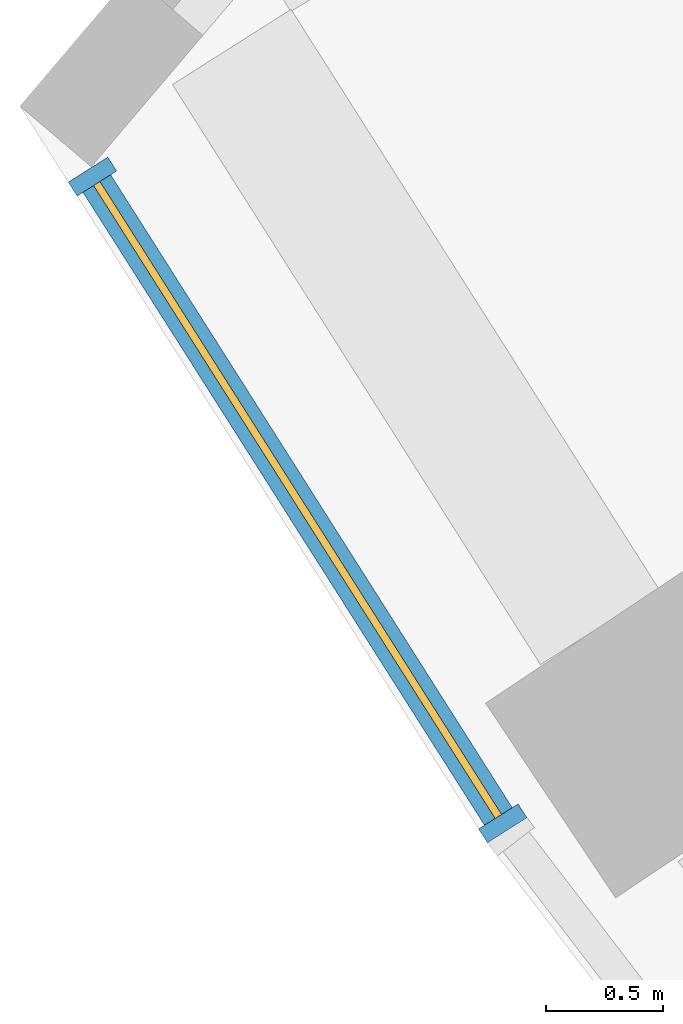
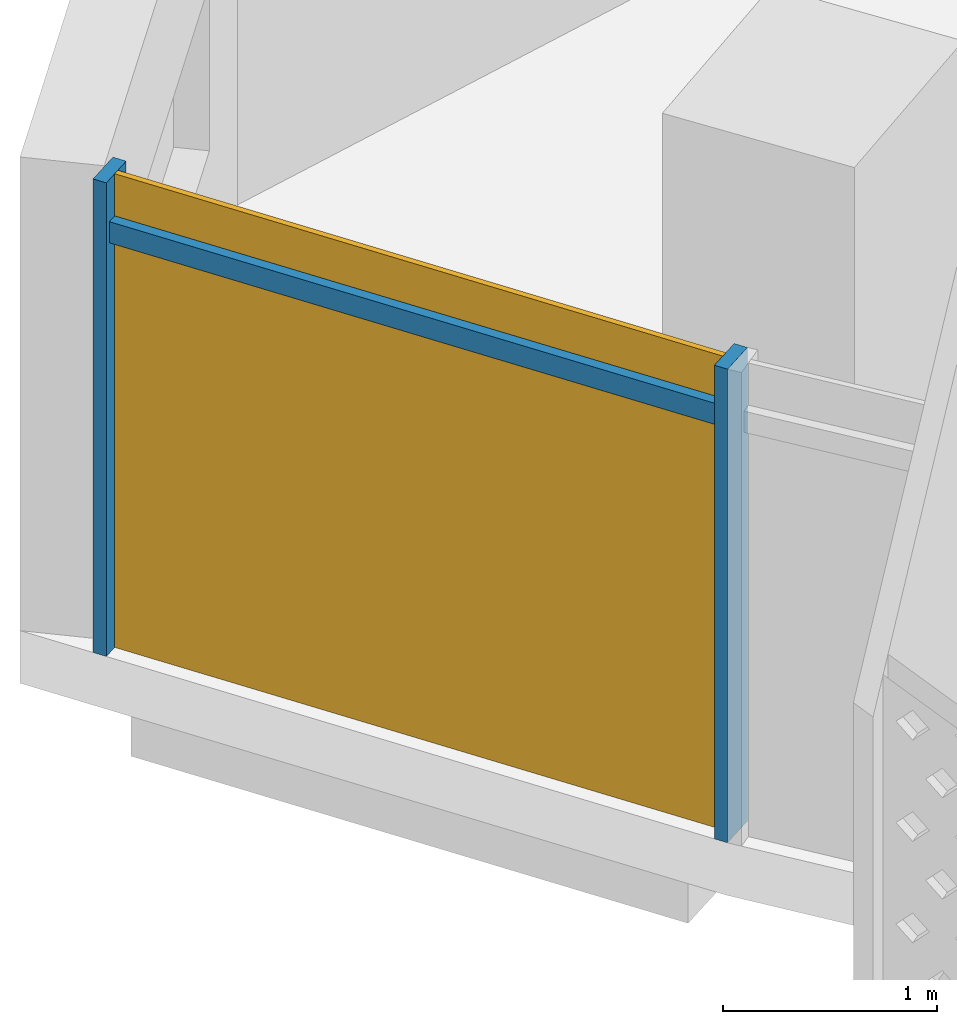
# One storey, part 19 of 28: 3 members, 1 curtain wall.
"""IFC4 building model written with IfcOpenShell, lengths in metres."""

from ifc_helpers import new_model, si_unit, direction, frame, origin, origin_2d, place, context, subcontext, project, spatial, rectangle, extrude, material, material_profile, profile_set, type_object, element, aggregate, save


model = new_model("IFC4")

# Units and contexts
model_context = context("Model", 3, precision=1e-05, world=origin(), true_north=direction((0.0, 1.0)))
body_context = subcontext(model_context, "Body", "Model", "MODEL_VIEW")
ifc_project = project(units=[si_unit("LENGTHUNIT", "METRE"), si_unit("AREAUNIT", "SQUARE_METRE"), si_unit("VOLUMEUNIT", "CUBIC_METRE"), si_unit("PLANEANGLEUNIT", "RADIAN"), si_unit("MASSUNIT", "GRAM", prefix="KILO")], contexts=[model_context])

# Member
ifc_material = material(Name="Aluminium 6063-T6 anodised", Category="aluminium")
ifc_material_profile_1 = material_profile(ifc_material, rectangle(XDim=0.199951171875, YDim=0.070068359375, at=origin_2d()))
ifc_profile_set_1 = profile_set([ifc_material_profile_1], Name="Aluminium 6063-T6 anodised")
member_type_1 = type_object("IfcMemberType", Name="Mullion 70 x 200 aluminium", PredefinedType="MULLION", material=ifc_profile_set_1)
site_placement = place(None, origin())
building_placement = place(site_placement, origin())
storey_placement = place(building_placement, frame((0.0, 0.0, 249.300048828125)))
member_1_placement = place(storey_placement, frame((-67.083251953125, -40.84814453125, 0.0), z_axis=(0.0, 0.0, 1.0), x_axis=(0.844405785473, 0.535704087589, 0.0)))
member_1 = element("IfcMember", 1, at=member_1_placement, type_object=member_type_1, Name="e-cw1-L60-out00/M00", PredefinedType="MULLION", context=body_context, shape_type="SweptSolid", body=[
    extrude(rectangle(XDim=0.199951171875, YDim=0.070068359375, at=origin_2d()), origin(), (0.0, 0.0, 1.0), 2.699951171875),
])

member_2_placement = place(storey_placement, frame((-65.329345703125, -43.612548828125, 0.0), z_axis=(0.0, 0.0, 1.0), x_axis=(0.844405785473, 0.535704087589, 0.0)))
member_2 = element("IfcMember", 2, at=member_2_placement, type_object=member_type_1, Name="e-cw1-L60-out00/M01", PredefinedType="MULLION", context=body_context, shape_type="SweptSolid", body=[
    extrude(rectangle(XDim=0.199951171875, YDim=0.070068359375, at=origin_2d()), origin(), (0.0, 0.0, 1.0), 2.699951171875),
])

ifc_material_profile_2 = material_profile(ifc_material, rectangle(XDim=0.139892578125, YDim=0.1201171875, at=origin_2d()))
ifc_profile_set_2 = profile_set([ifc_material_profile_2], Name="Aluminium 6063-T6 anodised")
member_type_2 = type_object("IfcMemberType", Name="Transom 120 x 140 aluminium", PredefinedType="USERDEFINED", material=ifc_profile_set_2)
member_3_placement = place(storey_placement, frame((-67.064453125, -40.877685546875, 2.39990234375), z_axis=(0.535706383285, -0.844404329044, 0.0), x_axis=(0.844404329044, 0.535706383285, 0.0)))
member_3 = element("IfcMember", 3, at=member_3_placement, type_object=member_type_2, Name="e-cw1-L60-out00/T00", ObjectType="TRANSOM", PredefinedType="USERDEFINED", context=body_context, shape_type="SweptSolid", body=[
    extrude(rectangle(XDim=0.139892578125, YDim=0.1201171875, at=origin_2d()), origin(), (0.0, 0.0, 1.0), 3.203857421875),
])

# Site, building, storey
site = spatial("IfcSite", under=ifc_project, at=site_placement, CompositionType="ELEMENT")
building = spatial("IfcBuilding", under=site, at=building_placement, Name="Qamariyya Broadcast Tower", CompositionType="ELEMENT")
storey = spatial("IfcBuildingStorey", under=building, at=storey_placement, Name="L60", CompositionType="ELEMENT", Elevation=249.300048828125)

# Curtain wall
curtain_wall_type = type_object("IfcCurtainWallType", Name="Unitised curtain wall, anodised aluminium", PredefinedType="NOTDEFINED", material=ifc_material)
curtain_wall_placement = place(storey_placement, origin())
curtain_wall = element("IfcCurtainWall", 4, at=curtain_wall_placement, inside=storey, type_object=curtain_wall_type, Name="e-cw1-L60-out00", PredefinedType="NOTDEFINED", context=body_context, shape_type="SweptSolid", body=[
    extrude(rectangle(XDim=3.203857421875, YDim=0.031982421875, at=origin_2d()), frame((-66.206298828125, -42.23046875, 0.0), x_axis=(0.535755372875, -0.84437324711, 0.0)), (0.0, 0.0, 1.0), 2.340087890625),
    extrude(rectangle(XDim=3.203857421875, YDim=0.031982421875, at=origin_2d()), frame((-66.206298828125, -42.23046875, 2.4599609375), x_axis=(0.535755372875, -0.84437324711, 0.0)), (0.0, 0.0, 1.0), 0.239990234375),
])

aggregate(curtain_wall, [member_1, member_2, member_3])

save(model, "model.ifc")
